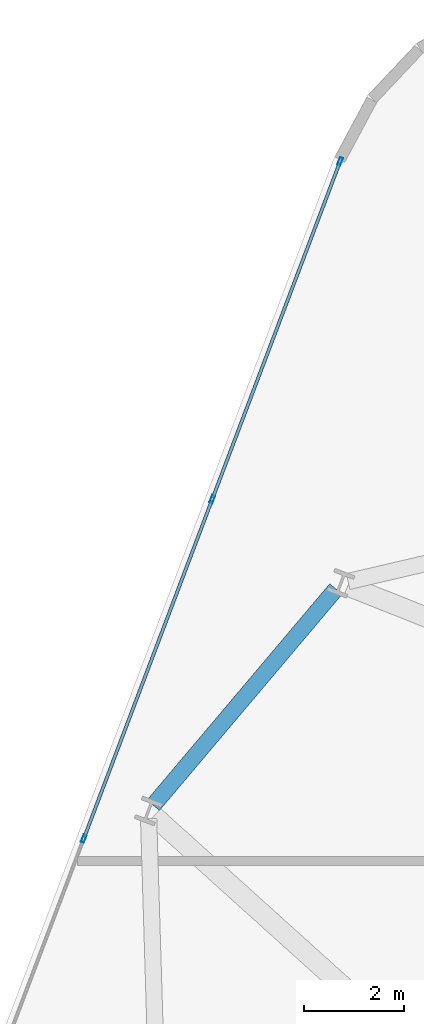
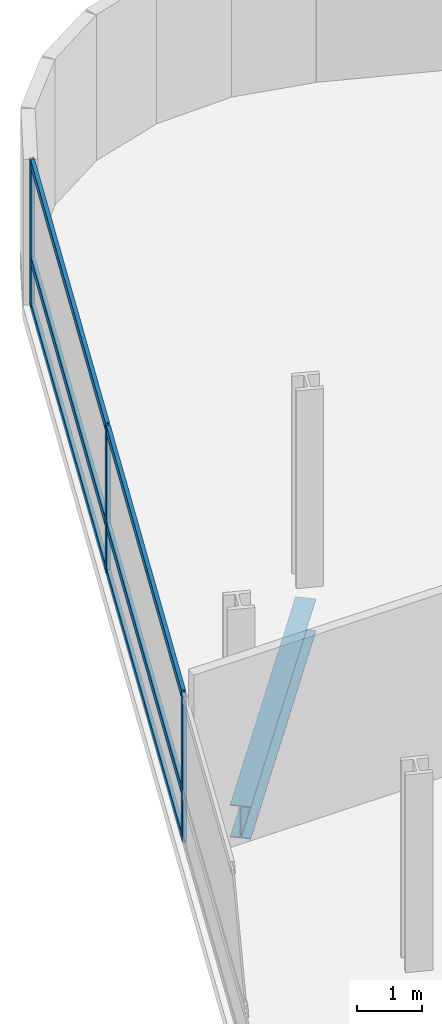
# One storey, part 8 of 24: 9 members, 1 beam, 1 element without a shape of its own.
"""IFC4 building model written with IfcOpenShell, lengths in metres."""

import ifcopenshell
import ifcopenshell.guid

model = None  # the IFC model being written
_history = None  # IfcOwnerHistory: only IFC2X3 demands one
_inside = {}  # id of a spatial element -> (the spatial element, [elements in it])
_under = {}  # id of a project, library or spatial element -> (it, [spatial elements below it])
_declared = {}  # id of a project -> (the project, [libraries it declares])
_typed = {}  # id of a type object -> (the type object, [elements of that type])
_made_of = {}  # id of a material, layer set ... -> (it, [elements and type objects made of it])


def new_model(schema):
    """Start an empty IFC model of exactly this schema.

    Asked for "IFC4X3", IfcOpenShell would pick the latest addendum, in which some entities
    have other attributes; the version numbers below select the first issue.
    IFC2X3 requires an IfcOwnerHistory on every rooted entity: one is made here for all.
    """
    global model, _history
    if schema == "IFC4X3":
        model = ifcopenshell.file(schema_version=(4, 3, 0, 0))
    else:
        model = ifcopenshell.file(schema=schema)
    _inside.clear()
    _under.clear()
    _declared.clear()
    _typed.clear()
    _made_of.clear()
    _history = None
    if model.schema == "IFC2X3":
        org = make("IfcOrganization", Name="unknown")
        user = make(
            "IfcPersonAndOrganization",
            ThePerson=make("IfcPerson", FamilyName="unknown"),
            TheOrganization=org,
        )
        app = make(
            "IfcApplication",
            ApplicationDeveloper=org,
            Version="unknown",
            ApplicationFullName="unknown",
            ApplicationIdentifier="unknown",
        )
        _history = make(
            "IfcOwnerHistory",
            OwningUser=user,
            OwningApplication=app,
            ChangeAction="ADDED",
            CreationDate=0,
        )
    return model


def make(cls, **values):
    """One entity of the class cls with the attributes given. An attribute that is None is left unset."""
    return model.create_entity(
        cls, **{name: value for name, value in values.items() if value is not None}
    )


def rooted(cls, **values):
    """An entity with a GlobalId (a new one), such as an element, a storey or a relation."""
    return make(cls, GlobalId=ifcopenshell.guid.new(), OwnerHistory=_history, **values)


def si_unit(unit_type, name, prefix=None):
    """IfcSIUnit, for example si_unit("LENGTHUNIT", "METRE", prefix="MILLI")."""
    return make("IfcSIUnit", UnitType=unit_type, Prefix=prefix, Name=name)


def assignment(units):
    """IfcUnitAssignment: the units of a project."""
    return None if units is None else make("IfcUnitAssignment", Units=units)


def point(xyz):
    """IfcCartesianPoint."""
    return None if xyz is None else make("IfcCartesianPoint", Coordinates=xyz)


def direction(xyz):
    """IfcDirection."""
    return None if xyz is None else make("IfcDirection", DirectionRatios=xyz)


def frame(location, z_axis=None, x_axis=None):
    """IfcAxis2Placement3D, a coordinate frame: its origin and axes. An axis left out is left unset."""
    return make(
        "IfcAxis2Placement3D",
        Location=point(location),
        Axis=direction(z_axis),
        RefDirection=direction(x_axis),
    )


def frame_2d(location, x_axis=None):
    """IfcAxis2Placement2D, a coordinate frame in the plane: its origin and x axis."""
    return make(
        "IfcAxis2Placement2D", Location=point(location), RefDirection=direction(x_axis)
    )


def origin():
    """The frame at (0, 0, 0) with its axes left unset."""
    return frame((0.0, 0.0, 0.0))


def origin_2d():
    """The frame at (0, 0) in the plane with its x axis left unset."""
    return frame_2d((0.0, 0.0))


def place(relative_to, where):
    """IfcLocalPlacement: puts the frame where relative to a parent placement (None: the world)."""
    return make(
        "IfcLocalPlacement", PlacementRelTo=relative_to, RelativePlacement=where
    )


def context(
    kind, dimensions, precision=None, world=None, true_north=None, identifier=None
):
    """IfcGeometricRepresentationContext, for example the 3D "Model" context."""
    return make(
        "IfcGeometricRepresentationContext",
        ContextIdentifier=identifier,
        ContextType=kind,
        CoordinateSpaceDimension=dimensions,
        Precision=precision,
        WorldCoordinateSystem=world,
        TrueNorth=true_north,
    )


def subcontext(parent, identifier, kind, view, scale=None):
    """IfcGeometricRepresentationSubContext, for example "Body" below "Model"."""
    return make(
        "IfcGeometricRepresentationSubContext",
        ContextIdentifier=identifier,
        ContextType=kind,
        ParentContext=parent,
        TargetScale=scale,
        TargetView=view,
    )


def project(units=None, contexts=None):
    """IfcProject with its units and contexts."""
    return rooted(
        "IfcProject",
        Name="project",
        RepresentationContexts=contexts,
        UnitsInContext=assignment(units),
    )


def spatial(cls, under=None, at=None, **own):
    """A site, building, storey or space (cls), placed at a placement, below another one or the project."""
    s = rooted(cls, ObjectPlacement=at, **own)
    if under is not None:
        _under.setdefault(under.id(), (under, []))[1].append(s)
    return s


def profile(cls, at=None, kind="AREA", **sizes):
    """A parametric profile (cls). Its sizes go by their IFC names, for example OverallWidth=200.0."""
    return make(cls, ProfileType=kind, Position=at, **sizes)


def hollow_rectangle(**sizes):
    """IfcRectangleHollowProfileDef."""
    return profile("IfcRectangleHollowProfileDef", **sizes)


def i_section(**sizes):
    """IfcIShapeProfileDef."""
    return profile("IfcIShapeProfileDef", **sizes)


def extrude(swept, where, along, depth):
    """IfcExtrudedAreaSolid: the profile swept, set in the frame where, extruded along a direction by depth."""
    return make(
        "IfcExtrudedAreaSolid",
        SweptArea=swept,
        Position=where,
        ExtrudedDirection=direction(along),
        Depth=depth,
    )


def shape(context_of_items, identifier, shape_type, items):
    """IfcShapeRepresentation: the items that make up one representation, for example the "Body"."""
    return make(
        "IfcShapeRepresentation",
        ContextOfItems=context_of_items,
        RepresentationIdentifier=identifier,
        RepresentationType=shape_type,
        Items=items,
    )


def material(Name=None, Category=None):
    """IfcMaterial."""
    return make("IfcMaterial", Name=Name, Category=Category)


def layer(
    of_material, thickness, ventilated=None, Name=None, Category=None, Priority=None
):
    """IfcMaterialLayer: one layer of a wall or slab, of a material (None: an air gap)."""
    return make(
        "IfcMaterialLayer",
        Material=of_material,
        LayerThickness=thickness,
        IsVentilated=ventilated,
        Name=Name,
        Category=Category,
        Priority=Priority,
    )


def layer_set(layers, Name=None):
    """IfcMaterialLayerSet."""
    return make("IfcMaterialLayerSet", MaterialLayers=layers, LayerSetName=Name)


def material_profile(
    of_material, cross_section, Name=None, Category=None, Priority=None
):
    """IfcMaterialProfile: a cross section and its material."""
    return make(
        "IfcMaterialProfile",
        Name=Name,
        Material=of_material,
        Profile=cross_section,
        Priority=Priority,
        Category=Category,
    )


def profile_set(profiles, Name=None, composite=None):
    """IfcMaterialProfileSet."""
    return make(
        "IfcMaterialProfileSet",
        Name=Name,
        MaterialProfiles=profiles,
        CompositeProfile=composite,
    )


def made_of(thing, what):
    """Note that an element or type object is made of a material, layer set ...; save() writes the relation."""
    if what is not None:
        _made_of.setdefault(what.id(), (what, []))[1].append(thing)
    return thing


def type_object(cls, material=None, **own):
    """A type object (cls), such as IfcWallType, which elements share."""
    return made_of(rooted(cls, **own), material)


def element(
    cls,
    number,
    at=None,
    inside=None,
    cuts=None,
    type_object=None,
    material=None,
    context=None,
    identifier="Body",
    shape_type=None,
    held_by="IfcProductDefinitionShape",
    body=None,
    shapes=None,
    **own,
):
    """One element of the class cls, such as IfcWall. Its Tag is "e" and its number.

    at: its placement. inside: the storey or other place that contains it. cuts: it is an
    opening in that element (IfcRelVoidsElement). A single representation is given by context,
    identifier, shape_type and body (its items); several are given by shapes. held_by: the class
    of the entity that holds the representations. save() writes the other relations.
    """
    e = rooted(cls, Tag="e%d" % number, ObjectPlacement=at, **own)
    if body is not None:
        shapes = [shape(context, identifier, shape_type, body)]
    if shapes is not None:
        e.Representation = make(held_by, Representations=shapes)
    if inside is not None:
        _inside.setdefault(inside.id(), (inside, []))[1].append(e)
    if cuts is not None:
        rooted(
            "IfcRelVoidsElement", RelatingBuildingElement=cuts, RelatedOpeningElement=e
        )
    if type_object is not None:
        _typed.setdefault(type_object.id(), (type_object, []))[1].append(e)
    return made_of(e, material)


def aggregate(whole, parts):
    """IfcRelAggregates: a whole, such as a stair, and the parts it consists of."""
    return rooted("IfcRelAggregates", RelatingObject=whole, RelatedObjects=parts)


def save(model, path):
    """Write the relations noted so far, then the file.

    IfcRelAggregates (storeys below a building ...), IfcRelContainedInSpatialStructure (elements
    in a storey), IfcRelDefinesByType, IfcRelAssociatesMaterial and IfcRelDeclares: one each for
    every whole, place, type object, material and project.
    """
    for whole, parts in _under.values():
        aggregate(whole, parts)
    for where, things in _inside.values():
        rooted(
            "IfcRelContainedInSpatialStructure",
            RelatedElements=things,
            RelatingStructure=where,
        )
    for kind, things in _typed.values():
        rooted("IfcRelDefinesByType", RelatedObjects=things, RelatingType=kind)
    for what, things in _made_of.values():
        rooted("IfcRelAssociatesMaterial", RelatedObjects=things, RelatingMaterial=what)
    for by, libraries in _declared.values():
        rooted("IfcRelDeclares", RelatingContext=by, RelatedDefinitions=libraries)
    model.write(path)


model = new_model("IFC4")

# Units and contexts
model_context = context("Model", 3, precision=1e-05, world=origin(), true_north=direction((0.0, 1.0)))
body_context = subcontext(model_context, "Body", "Model", "MODEL_VIEW")
ifc_project = project(units=[si_unit("LENGTHUNIT", "METRE"), si_unit("AREAUNIT", "SQUARE_METRE"), si_unit("VOLUMEUNIT", "CUBIC_METRE"), si_unit("PLANEANGLEUNIT", "RADIAN"), si_unit("MASSUNIT", "GRAM", prefix="KILO")], contexts=[model_context])

# Site, building, storey
site_placement = place(None, origin())
site = spatial("IfcSite", under=ifc_project, at=site_placement, CompositionType="ELEMENT")
building_placement = place(site_placement, origin())
building = spatial("IfcBuilding", under=site, at=building_placement, Name="Varnelok Gate Tower", CompositionType="ELEMENT")
storey_placement = place(building_placement, frame((0.0, 0.0, 87.300048828125)))
storey = spatial("IfcBuildingStorey", under=building, at=storey_placement, Name="L21", CompositionType="ELEMENT", Elevation=87.300048828125)

# Beam
ifc_material_1 = material(Name="Structural Steel ASTM A992 Grade 50", Category="steel")
ifc_material_profile_1 = material_profile(ifc_material_1, i_section(OverallWidth=0.323974609375, OverallDepth=0.611083984375, WebThickness=0.0126953125, FlangeThickness=0.01904296875, FilletRadius=0.01806640625, at=origin_2d()), Name="W24X104")
ifc_profile_set_1 = profile_set([ifc_material_profile_1], Name="Structural Steel ASTM A992 Grade 50")
beam_type = type_object("IfcBeamType", Name="BM-SPN-W24X104", PredefinedType="SPANDREL", material=ifc_profile_set_1)
beam_placement = place(storey_placement, frame((10.66650390625, 46.857666015625, -0.5556640625), z_axis=(-0.645376429405, -0.763864689829, 0.0), x_axis=(0.763864689829, -0.645376429405, 0.0)))
element("IfcBeam", 1, at=beam_placement, inside=storey, type_object=beam_type, Name="L21 Perimeter Spandrel Beam 14", PredefinedType="SPANDREL", context=body_context, shape_type="SweptSolid", body=[
    extrude(i_section(OverallWidth=0.323974609375, OverallDepth=0.611083984375, WebThickness=0.0126953125, FlangeThickness=0.01904296875, FilletRadius=0.01806640625, at=origin_2d()), origin(), (0.0, 0.0, 1.0), 5.64990234375),
])

# Curtain wall, members
ifc_material_2 = material(Name="Anodized Aluminum Alloy 6063-T6", Category="aluminium")
ifc_layer = layer(ifc_material_2, 0.179931640625)
ifc_layer_set = layer_set([ifc_layer], Name="Anodized Aluminum Alloy 6063-T6")
curtain_wall_type = type_object("IfcCurtainWallType", Name="CW3-HOTEL-VISION", PredefinedType="USERDEFINED", material=ifc_layer_set)
curtain_wall_placement = place(storey_placement, origin())
curtain_wall = element("IfcCurtainWall", 2, at=curtain_wall_placement, inside=storey, type_object=curtain_wall_type, Name="L21 West End Vision Curtain Wall", ObjectType="UNITISED CURTAIN WALL", PredefinedType="USERDEFINED")
ifc_material_profile_2 = material_profile(ifc_material_2, hollow_rectangle(XDim=0.06494140625, YDim=0.159912109375, WallThickness=0.00390625, at=origin_2d()), Name="ALU160X65X4")
ifc_profile_set_2 = profile_set([ifc_material_profile_2], Name="Anodized Aluminum Alloy 6063-T6")
member_type_1 = type_object("IfcMemberType", Name="CW-MULL-160", PredefinedType="MULLION", material=ifc_profile_set_2)
member_1_placement = place(storey_placement, frame((5.63525390625, 41.8779296875, 0.0), z_axis=(0.0, 0.0, 1.0), x_axis=(-0.935221323688, 0.354063660545, 0.0)))
member_1 = element("IfcMember", 3, at=member_1_placement, type_object=member_type_1, Name="CW3 mullion 4", PredefinedType="MULLION", context=body_context, shape_type="SweptSolid", body=[
    extrude(hollow_rectangle(XDim=0.06494140625, YDim=0.159912109375, WallThickness=0.00390625, at=origin_2d()), origin(), (0.0, 0.0, 1.0), 2.72998046875),
])
member_2_placement = place(storey_placement, frame((8.19873046875, 48.64892578125, 0.0), z_axis=(0.0, 0.0, 1.0), x_axis=(-0.935221323688, 0.354063660545, 0.0)))
member_2 = element("IfcMember", 4, at=member_2_placement, type_object=member_type_1, Name="CW3 mullion 5", PredefinedType="MULLION", context=body_context, shape_type="SweptSolid", body=[
    extrude(hollow_rectangle(XDim=0.06494140625, YDim=0.159912109375, WallThickness=0.00390625, at=origin_2d()), origin(), (0.0, 0.0, 1.0), 2.72998046875),
])
member_3_placement = place(storey_placement, frame((10.750732421875, 55.389404296875, 0.0), z_axis=(0.0, 0.0, 1.0), x_axis=(-0.935221323688, 0.354063660545, 0.0)))
member_3 = element("IfcMember", 5, at=member_3_placement, type_object=member_type_1, Name="CW3 mullion 6", PredefinedType="MULLION", context=body_context, shape_type="SweptSolid", body=[
    extrude(hollow_rectangle(XDim=0.06494140625, YDim=0.159912109375, WallThickness=0.00390625, at=origin_2d()), origin(), (0.0, 0.0, 1.0), 2.72998046875),
])
ifc_material_profile_3 = material_profile(ifc_material_2, hollow_rectangle(XDim=0.06494140625, YDim=0.159912109375, WallThickness=0.00390625, at=origin_2d()), Name="ALU160X65X4")
ifc_profile_set_3 = profile_set([ifc_material_profile_3], Name="Anodized Aluminum Alloy 6063-T6")
member_type_2 = type_object("IfcMemberType", Name="CW-TRAN-160", PredefinedType="USERDEFINED", material=ifc_profile_set_3)
member_4_placement = place(storey_placement, frame((5.64697265625, 41.908203125, 0.032470703125), z_axis=(0.354048963644, 0.935226887628, 0.0), x_axis=(-0.935226887628, 0.354048963644, 0.0)))
member_4 = element("IfcMember", 6, at=member_4_placement, type_object=member_type_2, Name="CW3 transom 4.1", ObjectType="TRANSOM", PredefinedType="USERDEFINED", context=body_context, shape_type="SweptSolid", body=[
    extrude(hollow_rectangle(XDim=0.06494140625, YDim=0.159912109375, WallThickness=0.00390625, at=origin_2d()), origin(), (0.0, 0.0, 1.0), 7.175048828125),
])
member_5_placement = place(storey_placement, frame((5.64697265625, 41.908203125, 0.89990234375), z_axis=(0.354048963644, 0.935226887628, 0.0), x_axis=(-0.935226887628, 0.354048963644, 0.0)))
member_5 = element("IfcMember", 7, at=member_5_placement, type_object=member_type_2, Name="CW3 transom 4.2", ObjectType="TRANSOM", PredefinedType="USERDEFINED", context=body_context, shape_type="SweptSolid", body=[
    extrude(hollow_rectangle(XDim=0.06494140625, YDim=0.159912109375, WallThickness=0.00390625, at=origin_2d()), origin(), (0.0, 0.0, 1.0), 7.175048828125),
])
member_6_placement = place(storey_placement, frame((5.64697265625, 41.908203125, 2.697509765625), z_axis=(0.354048963644, 0.935226887628, 0.0), x_axis=(-0.935226887628, 0.354048963644, 0.0)))
member_6 = element("IfcMember", 8, at=member_6_placement, type_object=member_type_2, Name="CW3 transom 4.3", ObjectType="TRANSOM", PredefinedType="USERDEFINED", context=body_context, shape_type="SweptSolid", body=[
    extrude(hollow_rectangle(XDim=0.06494140625, YDim=0.159912109375, WallThickness=0.00390625, at=origin_2d()), origin(), (0.0, 0.0, 1.0), 7.175048828125),
])
member_7_placement = place(storey_placement, frame((8.210205078125, 48.67919921875, 0.032470703125), z_axis=(0.354077146385, 0.935216217999, 0.0), x_axis=(-0.935216217999, 0.354077146385, 0.0)))
member_7 = element("IfcMember", 9, at=member_7_placement, type_object=member_type_2, Name="CW3 transom 5.1", ObjectType="TRANSOM", PredefinedType="USERDEFINED", context=body_context, shape_type="SweptSolid", body=[
    extrude(hollow_rectangle(XDim=0.06494140625, YDim=0.159912109375, WallThickness=0.00390625, at=origin_2d()), origin(), (0.0, 0.0, 1.0), 7.142578125),
])
member_8_placement = place(storey_placement, frame((8.210205078125, 48.67919921875, 0.89990234375), z_axis=(0.354077146385, 0.935216217999, 0.0), x_axis=(-0.935216217999, 0.354077146385, 0.0)))
member_8 = element("IfcMember", 10, at=member_8_placement, type_object=member_type_2, Name="CW3 transom 5.2", ObjectType="TRANSOM", PredefinedType="USERDEFINED", context=body_context, shape_type="SweptSolid", body=[
    extrude(hollow_rectangle(XDim=0.06494140625, YDim=0.159912109375, WallThickness=0.00390625, at=origin_2d()), origin(), (0.0, 0.0, 1.0), 7.142578125),
])
member_9_placement = place(storey_placement, frame((8.210205078125, 48.67919921875, 2.697509765625), z_axis=(0.354077146385, 0.935216217999, 0.0), x_axis=(-0.935216217999, 0.354077146385, 0.0)))
member_9 = element("IfcMember", 11, at=member_9_placement, type_object=member_type_2, Name="CW3 transom 5.3", ObjectType="TRANSOM", PredefinedType="USERDEFINED", context=body_context, shape_type="SweptSolid", body=[
    extrude(hollow_rectangle(XDim=0.06494140625, YDim=0.159912109375, WallThickness=0.00390625, at=origin_2d()), origin(), (0.0, 0.0, 1.0), 7.142578125),
])
aggregate(curtain_wall, [member_1, member_2, member_3, member_4, member_5, member_6, member_7, member_8, member_9])

save(model, "model.ifc")
